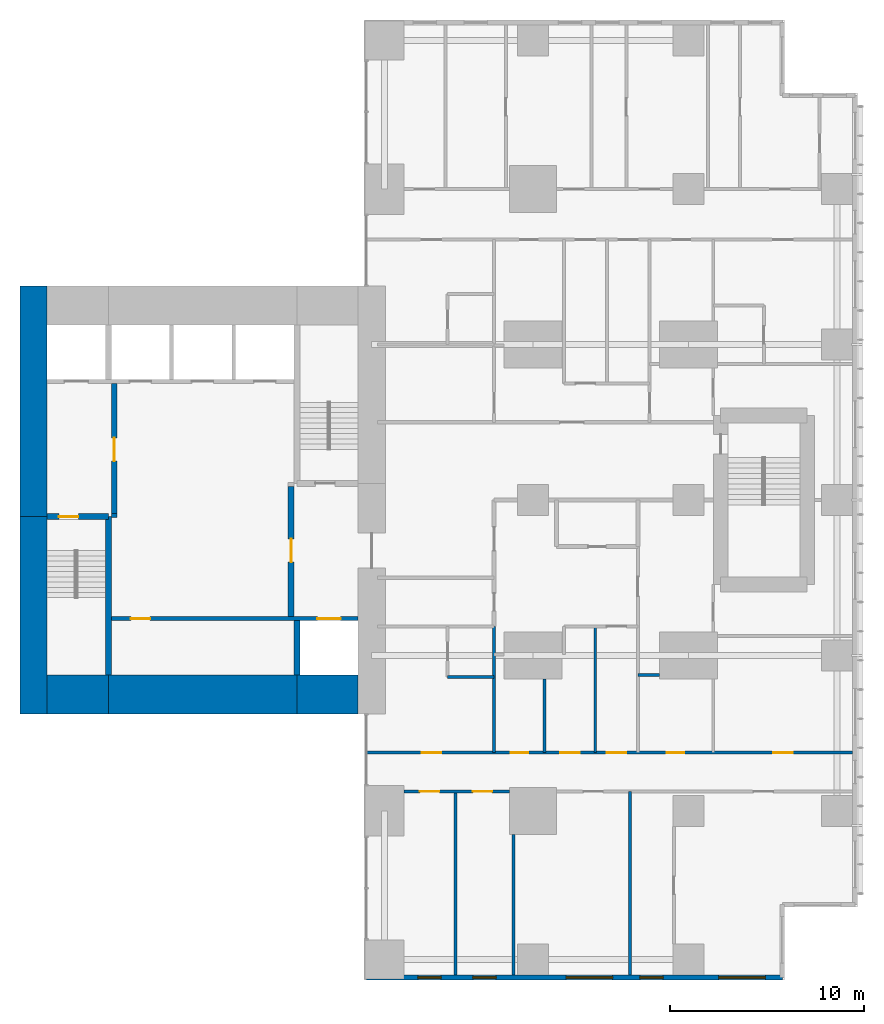
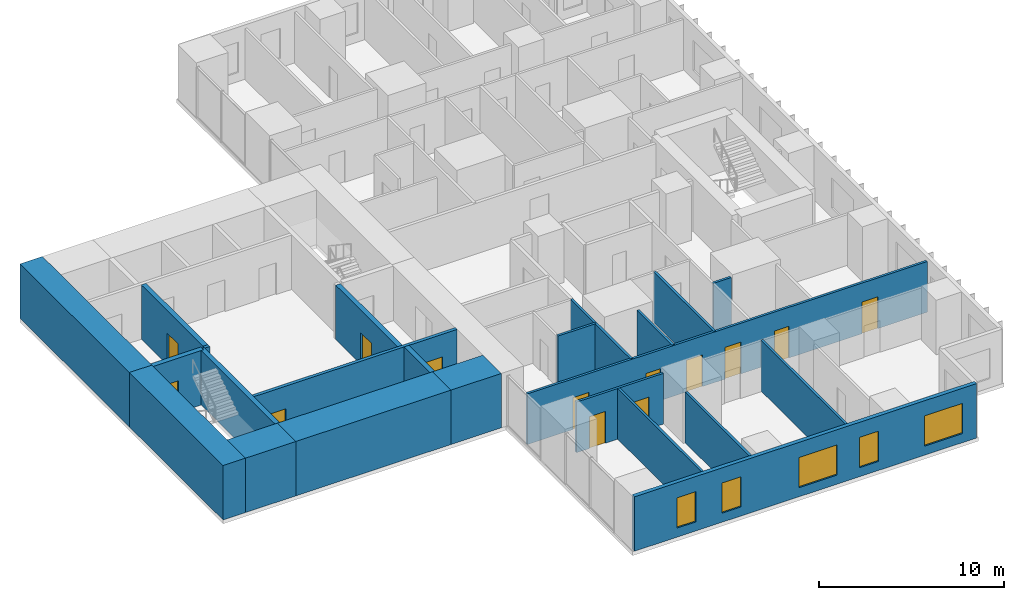
# One storey, part 7 of 12: 23 walls, 13 doors, 5 windows, 18 openings.
"""IFC4 building model written with IfcOpenShell, lengths in metres."""

import ifcopenshell
import ifcopenshell.guid

model = None  # the IFC model being written
_history = None  # IfcOwnerHistory: only IFC2X3 demands one
_inside = {}  # id of a spatial element -> (the spatial element, [elements in it])
_under = {}  # id of a project, library or spatial element -> (it, [spatial elements below it])
_declared = {}  # id of a project -> (the project, [libraries it declares])
_typed = {}  # id of a type object -> (the type object, [elements of that type])
_made_of = {}  # id of a material, layer set ... -> (it, [elements and type objects made of it])


def new_model(schema):
    """Start an empty IFC model of exactly this schema.

    Asked for "IFC4X3", IfcOpenShell would pick the latest addendum, in which some entities
    have other attributes; the version numbers below select the first issue.
    IFC2X3 requires an IfcOwnerHistory on every rooted entity: one is made here for all.
    """
    global model, _history
    if schema == "IFC4X3":
        model = ifcopenshell.file(schema_version=(4, 3, 0, 0))
    else:
        model = ifcopenshell.file(schema=schema)
    _inside.clear()
    _under.clear()
    _declared.clear()
    _typed.clear()
    _made_of.clear()
    _history = None
    if model.schema == "IFC2X3":
        org = make("IfcOrganization", Name="unknown")
        user = make(
            "IfcPersonAndOrganization",
            ThePerson=make("IfcPerson", FamilyName="unknown"),
            TheOrganization=org,
        )
        app = make(
            "IfcApplication",
            ApplicationDeveloper=org,
            Version="unknown",
            ApplicationFullName="unknown",
            ApplicationIdentifier="unknown",
        )
        _history = make(
            "IfcOwnerHistory",
            OwningUser=user,
            OwningApplication=app,
            ChangeAction="ADDED",
            CreationDate=0,
        )
    return model


def make(cls, **values):
    """One entity of the class cls with the attributes given. An attribute that is None is left unset."""
    return model.create_entity(
        cls, **{name: value for name, value in values.items() if value is not None}
    )


def rooted(cls, **values):
    """An entity with a GlobalId (a new one), such as an element, a storey or a relation."""
    return make(cls, GlobalId=ifcopenshell.guid.new(), OwnerHistory=_history, **values)


def si_unit(unit_type, name, prefix=None):
    """IfcSIUnit, for example si_unit("LENGTHUNIT", "METRE", prefix="MILLI")."""
    return make("IfcSIUnit", UnitType=unit_type, Prefix=prefix, Name=name)


def assignment(units):
    """IfcUnitAssignment: the units of a project."""
    return None if units is None else make("IfcUnitAssignment", Units=units)


def point(xyz):
    """IfcCartesianPoint."""
    return None if xyz is None else make("IfcCartesianPoint", Coordinates=xyz)


def direction(xyz):
    """IfcDirection."""
    return None if xyz is None else make("IfcDirection", DirectionRatios=xyz)


def frame(location, z_axis=None, x_axis=None):
    """IfcAxis2Placement3D, a coordinate frame: its origin and axes. An axis left out is left unset."""
    return make(
        "IfcAxis2Placement3D",
        Location=point(location),
        Axis=direction(z_axis),
        RefDirection=direction(x_axis),
    )


def frame_2d(location, x_axis=None):
    """IfcAxis2Placement2D, a coordinate frame in the plane: its origin and x axis."""
    return make(
        "IfcAxis2Placement2D", Location=point(location), RefDirection=direction(x_axis)
    )


def origin():
    """The frame at (0, 0, 0) with its axes left unset."""
    return frame((0.0, 0.0, 0.0))


def place(relative_to, where):
    """IfcLocalPlacement: puts the frame where relative to a parent placement (None: the world)."""
    return make(
        "IfcLocalPlacement", PlacementRelTo=relative_to, RelativePlacement=where
    )


def context(
    kind, dimensions, precision=None, world=None, true_north=None, identifier=None
):
    """IfcGeometricRepresentationContext, for example the 3D "Model" context."""
    return make(
        "IfcGeometricRepresentationContext",
        ContextIdentifier=identifier,
        ContextType=kind,
        CoordinateSpaceDimension=dimensions,
        Precision=precision,
        WorldCoordinateSystem=world,
        TrueNorth=true_north,
    )


def subcontext(parent, identifier, kind, view, scale=None):
    """IfcGeometricRepresentationSubContext, for example "Body" below "Model"."""
    return make(
        "IfcGeometricRepresentationSubContext",
        ContextIdentifier=identifier,
        ContextType=kind,
        ParentContext=parent,
        TargetScale=scale,
        TargetView=view,
    )


def project(units=None, contexts=None):
    """IfcProject with its units and contexts."""
    return rooted(
        "IfcProject",
        Name="project",
        RepresentationContexts=contexts,
        UnitsInContext=assignment(units),
    )


def spatial(cls, under=None, at=None, **own):
    """A site, building, storey or space (cls), placed at a placement, below another one or the project."""
    s = rooted(cls, ObjectPlacement=at, **own)
    if under is not None:
        _under.setdefault(under.id(), (under, []))[1].append(s)
    return s


def profile(cls, at=None, kind="AREA", **sizes):
    """A parametric profile (cls). Its sizes go by their IFC names, for example OverallWidth=200.0."""
    return make(cls, ProfileType=kind, Position=at, **sizes)


def rectangle(**sizes):
    """IfcRectangleProfileDef."""
    return profile("IfcRectangleProfileDef", **sizes)


def extrude(swept, where, along, depth):
    """IfcExtrudedAreaSolid: the profile swept, set in the frame where, extruded along a direction by depth."""
    return make(
        "IfcExtrudedAreaSolid",
        SweptArea=swept,
        Position=where,
        ExtrudedDirection=direction(along),
        Depth=depth,
    )


def shape(context_of_items, identifier, shape_type, items):
    """IfcShapeRepresentation: the items that make up one representation, for example the "Body"."""
    return make(
        "IfcShapeRepresentation",
        ContextOfItems=context_of_items,
        RepresentationIdentifier=identifier,
        RepresentationType=shape_type,
        Items=items,
    )


def material(Name=None, Category=None):
    """IfcMaterial."""
    return make("IfcMaterial", Name=Name, Category=Category)


def layer(
    of_material, thickness, ventilated=None, Name=None, Category=None, Priority=None
):
    """IfcMaterialLayer: one layer of a wall or slab, of a material (None: an air gap)."""
    return make(
        "IfcMaterialLayer",
        Material=of_material,
        LayerThickness=thickness,
        IsVentilated=ventilated,
        Name=Name,
        Category=Category,
        Priority=Priority,
    )


def layer_set(layers, Name=None):
    """IfcMaterialLayerSet."""
    return make("IfcMaterialLayerSet", MaterialLayers=layers, LayerSetName=Name)


def made_of(thing, what):
    """Note that an element or type object is made of a material, layer set ...; save() writes the relation."""
    if what is not None:
        _made_of.setdefault(what.id(), (what, []))[1].append(thing)
    return thing


def type_object(cls, material=None, **own):
    """A type object (cls), such as IfcWallType, which elements share."""
    return made_of(rooted(cls, **own), material)


def element(
    cls,
    number,
    at=None,
    inside=None,
    cuts=None,
    type_object=None,
    material=None,
    context=None,
    identifier="Body",
    shape_type=None,
    held_by="IfcProductDefinitionShape",
    body=None,
    shapes=None,
    **own,
):
    """One element of the class cls, such as IfcWall. Its Tag is "e" and its number.

    at: its placement. inside: the storey or other place that contains it. cuts: it is an
    opening in that element (IfcRelVoidsElement). A single representation is given by context,
    identifier, shape_type and body (its items); several are given by shapes. held_by: the class
    of the entity that holds the representations. save() writes the other relations.
    """
    e = rooted(cls, Tag="e%d" % number, ObjectPlacement=at, **own)
    if body is not None:
        shapes = [shape(context, identifier, shape_type, body)]
    if shapes is not None:
        e.Representation = make(held_by, Representations=shapes)
    if inside is not None:
        _inside.setdefault(inside.id(), (inside, []))[1].append(e)
    if cuts is not None:
        rooted(
            "IfcRelVoidsElement", RelatingBuildingElement=cuts, RelatedOpeningElement=e
        )
    if type_object is not None:
        _typed.setdefault(type_object.id(), (type_object, []))[1].append(e)
    return made_of(e, material)


def fill(opening, filler):
    """IfcRelFillsElement: the door or window that sits in an opening."""
    return rooted(
        "IfcRelFillsElement",
        RelatingOpeningElement=opening,
        RelatedBuildingElement=filler,
    )


def aggregate(whole, parts):
    """IfcRelAggregates: a whole, such as a stair, and the parts it consists of."""
    return rooted("IfcRelAggregates", RelatingObject=whole, RelatedObjects=parts)


def save(model, path):
    """Write the relations noted so far, then the file.

    IfcRelAggregates (storeys below a building ...), IfcRelContainedInSpatialStructure (elements
    in a storey), IfcRelDefinesByType, IfcRelAssociatesMaterial and IfcRelDeclares: one each for
    every whole, place, type object, material and project.
    """
    for whole, parts in _under.values():
        aggregate(whole, parts)
    for where, things in _inside.values():
        rooted(
            "IfcRelContainedInSpatialStructure",
            RelatedElements=things,
            RelatingStructure=where,
        )
    for kind, things in _typed.values():
        rooted("IfcRelDefinesByType", RelatedObjects=things, RelatingType=kind)
    for what, things in _made_of.values():
        rooted("IfcRelAssociatesMaterial", RelatedObjects=things, RelatingMaterial=what)
    for by, libraries in _declared.values():
        rooted("IfcRelDeclares", RelatingContext=by, RelatedDefinitions=libraries)
    model.write(path)


model = new_model("IFC4")

# Units and contexts
model_context = context("Model", 3, precision=1e-05, world=origin(), true_north=direction((0.0, 1.0)))
body_context = subcontext(model_context, "Body", "Model", "MODEL_VIEW")
ifc_project = project(units=[si_unit("LENGTHUNIT", "METRE"), si_unit("AREAUNIT", "SQUARE_METRE"), si_unit("VOLUMEUNIT", "CUBIC_METRE"), si_unit("PLANEANGLEUNIT", "RADIAN"), si_unit("MASSUNIT", "GRAM", prefix="KILO")], contexts=[model_context])

# Site, building, storey
site_placement = place(None, origin())
site = spatial("IfcSite", under=ifc_project, at=site_placement, CompositionType="ELEMENT")
building_placement = place(site_placement, origin())
building = spatial("IfcBuilding", under=site, at=building_placement, Name="Cleftline Residences", CompositionType="ELEMENT")
storey_placement = place(building_placement, frame((0.0, 0.0, 234.0)))
storey = spatial("IfcBuildingStorey", under=building, at=storey_placement, Name="L61", CompositionType="ELEMENT", Elevation=234.0)

# Walls
ifc_material_1 = material(Name="Concrete B70", Category="concrete")
ifc_layer_1 = layer(ifc_material_1, 1.39990234375)
ifc_layer_set_1 = layer_set([ifc_layer_1], Name="CORE WALL 1400")
wall_type_1 = type_object("IfcWallType", Name="CORE WALL 1400", PredefinedType="SHEAR", material=ifc_layer_set_1)
wall_1_placement = place(storey_placement, frame((24.300048828125, 13.0, 0.0), z_axis=(0.0, 0.0, 1.0), x_axis=(0.0, 1.0, 0.0)))
element("IfcWall", 1, at=wall_1_placement, inside=storey, type_object=wall_type_1, Name="Core wall W0", PredefinedType="SHEAR", context=body_context, shape_type="SweptSolid", body=[
    extrude(rectangle(XDim=10.14990234375, YDim=1.39990234375, at=frame_2d((5.074951171875, 0.0))), origin(), (0.0, 0.0, 1.0), 3.60009765625),
])
wall_2_placement = place(storey_placement, frame((24.300048828125, 23.14990234375, 0.0), z_axis=(0.0, 0.0, 1.0), x_axis=(0.0, 1.0, 0.0)))
element("IfcWall", 2, at=wall_2_placement, inside=storey, type_object=wall_type_1, Name="Core wall W", PredefinedType="SHEAR", context=body_context, shape_type="SweptSolid", body=[
    extrude(rectangle(XDim=11.85009765625, YDim=1.39990234375, at=frame_2d((5.925048828125, 0.0))), origin(), (0.0, 0.0, 1.0), 3.60009765625),
])
ifc_material_2 = material(Name="Concrete B70", Category="concrete")
ifc_layer_2 = layer(ifc_material_2, 2.0)
ifc_layer_set_2 = layer_set([ifc_layer_2], Name="CORE WALL 2000")
wall_type_2 = type_object("IfcWallType", Name="CORE WALL 2000", PredefinedType="SHEAR", material=ifc_layer_set_2)
wall_3_placement = place(storey_placement, frame((25.0, 14.0, 0.0), z_axis=(0.0, 0.0, 1.0), x_axis=(1.0, 0.0, 0.0)))
element("IfcWall", 3, at=wall_3_placement, inside=storey, type_object=wall_type_2, Name="Core wall S1", PredefinedType="SHEAR", context=body_context, shape_type="SweptSolid", body=[
    extrude(rectangle(XDim=3.14990234375, YDim=2.0, at=frame_2d((1.574951171875, 0.0))), origin(), (0.0, 0.0, 1.0), 3.60009765625),
])
wall_4_placement = place(storey_placement, frame((28.14990234375, 14.0, 0.0), z_axis=(0.0, 0.0, 1.0), x_axis=(1.0, 0.0, 0.0)))
element("IfcWall", 4, at=wall_4_placement, inside=storey, type_object=wall_type_2, Name="Core wall S2", PredefinedType="SHEAR", context=body_context, shape_type="SweptSolid", body=[
    extrude(rectangle(XDim=9.7001953125, YDim=2.0, at=frame_2d((4.85009765625, 0.0))), origin(), (0.0, 0.0, 1.0), 3.60009765625),
])
wall_5_placement = place(storey_placement, frame((37.85009765625, 14.0, 0.0), z_axis=(0.0, 0.0, 1.0), x_axis=(1.0, 0.0, 0.0)))
element("IfcWall", 5, at=wall_5_placement, inside=storey, type_object=wall_type_2, Name="Core wall S3", PredefinedType="SHEAR", context=body_context, shape_type="SweptSolid", body=[
    extrude(rectangle(XDim=3.14990234375, YDim=2.0, at=frame_2d((1.574951171875, 0.0))), origin(), (0.0, 0.0, 1.0), 3.60009765625),
])
ifc_material_3 = material(Name="Concrete B70", Category="concrete")
ifc_layer_3 = layer(ifc_material_3, 0.300048828125)
ifc_layer_set_3 = layer_set([ifc_layer_3], Name="CORE WALL 300")
wall_type_3 = type_object("IfcWallType", Name="CORE WALL 300", PredefinedType="SHEAR", material=ifc_layer_set_3)
wall_6_placement = place(storey_placement, frame((28.14990234375, 15.0, 0.0), z_axis=(0.0, 0.0, 1.0), x_axis=(0.0, 1.0, 0.0)))
element("IfcWall", 6, at=wall_6_placement, inside=storey, type_object=wall_type_3, Name="Core wall SA-E", PredefinedType="SHEAR", context=body_context, shape_type="SweptSolid", body=[
    extrude(rectangle(XDim=8.14990234375, YDim=0.300048828125, at=frame_2d((4.074951171875, 0.0))), origin(), (0.0, 0.0, 1.0), 3.60009765625),
])

# Wall, opening, door
wall_7_placement = place(storey_placement, frame((25.0, 23.14990234375, 0.0), z_axis=(0.0, 0.0, 1.0), x_axis=(1.0, 0.0, 0.0)))
wall_7 = element("IfcWall", 7, at=wall_7_placement, inside=storey, type_object=wall_type_3, Name="Core wall SA-N", PredefinedType="SHEAR", context=body_context, shape_type="SweptSolid", body=[
    extrude(rectangle(XDim=3.14990234375, YDim=0.300048828125, at=frame_2d((1.574951171875, 0.0))), origin(), (0.0, 0.0, 1.0), 3.60009765625),
])
opening_1_placement = place(wall_7_placement, frame((0.60009765625, 0.0, 0.0)))
opening_1 = element("IfcOpeningElement", 8, at=opening_1_placement, cuts=wall_7, Name="Opening D5", PredefinedType="OPENING", context=body_context, shape_type="SweptSolid", body=[
    extrude(rectangle(XDim=1.0, YDim=2.10009765625, at=frame_2d((0.5, 1.050048828125))), frame((0.0, 0.159912109375, 0.0), z_axis=(0.0, -1.0, 0.0), x_axis=(1.0, 0.0, 0.0)), (0.0, 0.0, 1.0), 0.320068359375),
])
ifc_material_4 = material(Name="Steel", Category="steel")
door_type_1 = type_object("IfcDoorType", Name="STAIR DOOR 1000X2100", OperationType="SINGLE_SWING_LEFT", PredefinedType="DOOR", material=ifc_material_4)
door_1_placement = place(opening_1_placement, origin())
door_1 = element("IfcDoor", 9, at=door_1_placement, inside=storey, type_object=door_type_1, Name="Stair A door", OperationType="SINGLE_SWING_RIGHT", OverallHeight=2.10009765625, OverallWidth=1.0, PredefinedType="DOOR", context=body_context, shape_type="SweptSolid", body=[
    extrude(rectangle(XDim=1.0, YDim=2.10009765625, at=frame_2d((0.5, 1.050048828125))), frame((0.0, 0.02490234375, 0.0), z_axis=(0.0, -1.0, 0.0), x_axis=(1.0, 0.0, 0.0)), (0.0, 0.0, 1.0), 0.050048828125),
])
fill(opening_1, door_1)

# Wall
wall_8_placement = place(storey_placement, frame((37.85009765625, 15.0, 0.0), z_axis=(0.0, 0.0, 1.0), x_axis=(0.0, 1.0, 0.0)))
element("IfcWall", 10, at=wall_8_placement, inside=storey, type_object=wall_type_3, Name="Lift shaft wall", PredefinedType="SHEAR", context=body_context, shape_type="SweptSolid", body=[
    extrude(rectangle(XDim=2.800048828125, YDim=0.300048828125, at=frame_2d((1.39990234375, 0.0))), origin(), (0.0, 0.0, 1.0), 3.60009765625),
])

# Wall, openings, windows
ifc_material_5 = material(Name="Rendered reinforced concrete blockwork", Category="masonry")
ifc_layer_4 = layer(ifc_material_5, 0.25)
ifc_layer_set_4 = layer_set([ifc_layer_4], Name="EXTERNAL WALL 250")
wall_type_4 = type_object("IfcWallType", Name="EXTERNAL WALL 250", PredefinedType="SOLIDWALL", material=ifc_layer_set_4)
wall_9_placement = place(storey_placement, frame((41.425048828125, -0.574951171875, 0.0), z_axis=(0.0, 0.0, 1.0), x_axis=(1.0, 0.0, 0.0)))
wall_9 = element("IfcWall", 11, at=wall_9_placement, inside=storey, type_object=wall_type_4, Name="External wall", PredefinedType="SOLIDWALL", context=body_context, shape_type="SweptSolid", body=[
    extrude(rectangle(XDim=21.39990234375, YDim=0.25, at=frame_2d((10.699951171875, 0.0))), origin(), (0.0, 0.0, 1.0), 3.60009765625),
])
opening_2_placement = place(wall_9_placement, frame((2.64990234375, 0.0, 0.60009765625)))
opening_2 = element("IfcOpeningElement", 12, at=opening_2_placement, cuts=wall_9, Name="Opening W8", PredefinedType="OPENING", context=body_context, shape_type="SweptSolid", body=[
    extrude(rectangle(XDim=1.199951171875, YDim=2.0, at=frame_2d((0.60009765625, 1.0))), frame((0.0, 0.135009765625, 0.0), z_axis=(0.0, -1.0, 0.0), x_axis=(1.0, 0.0, 0.0)), (0.0, 0.0, 1.0), 0.27001953125),
])
opening_3_placement = place(wall_9_placement, frame((5.47509765625, 0.0, 0.60009765625)))
opening_3 = element("IfcOpeningElement", 13, at=opening_3_placement, cuts=wall_9, Name="Opening W8", PredefinedType="OPENING", context=body_context, shape_type="SweptSolid", body=[
    extrude(rectangle(XDim=1.199951171875, YDim=2.0, at=frame_2d((0.60009765625, 1.0))), frame((0.0, 0.135009765625, 0.0), z_axis=(0.0, -1.0, 0.0), x_axis=(1.0, 0.0, 0.0)), (0.0, 0.0, 1.0), 0.27001953125),
])
opening_4_placement = place(wall_9_placement, frame((10.27490234375, 0.0, 0.60009765625)))
opening_4 = element("IfcOpeningElement", 14, at=opening_4_placement, cuts=wall_9, Name="Opening W6", PredefinedType="OPENING", context=body_context, shape_type="SweptSolid", body=[
    extrude(rectangle(XDim=2.39990234375, YDim=2.0, at=frame_2d((1.199951171875, 1.0))), frame((0.0, 0.135009765625, 0.0), z_axis=(0.0, -1.0, 0.0), x_axis=(1.0, 0.0, 0.0)), (0.0, 0.0, 1.0), 0.27001953125),
])
opening_5_placement = place(wall_9_placement, frame((14.074951171875, 0.0, 0.60009765625)))
opening_5 = element("IfcOpeningElement", 15, at=opening_5_placement, cuts=wall_9, Name="Opening W8", PredefinedType="OPENING", context=body_context, shape_type="SweptSolid", body=[
    extrude(rectangle(XDim=1.199951171875, YDim=2.0, at=frame_2d((0.60009765625, 1.0))), frame((0.0, 0.135009765625, 0.0), z_axis=(0.0, -1.0, 0.0), x_axis=(1.0, 0.0, 0.0)), (0.0, 0.0, 1.0), 0.27001953125),
])
opening_6_placement = place(wall_9_placement, frame((18.125, 0.0, 0.60009765625)))
opening_6 = element("IfcOpeningElement", 16, at=opening_6_placement, cuts=wall_9, Name="Opening W6", PredefinedType="OPENING", context=body_context, shape_type="SweptSolid", body=[
    extrude(rectangle(XDim=2.39990234375, YDim=2.0, at=frame_2d((1.199951171875, 1.0))), frame((0.0, 0.135009765625, 0.0), z_axis=(0.0, -1.0, 0.0), x_axis=(1.0, 0.0, 0.0)), (0.0, 0.0, 1.0), 0.27001953125),
])
ifc_material_6 = material(Name="Aluminium frame, clear double glazing", Category="aluminium")
window_type_1 = type_object("IfcWindowType", Name="WINDOW 1200X2000", PartitioningType="DOUBLE_PANEL_VERTICAL", PredefinedType="WINDOW", material=ifc_material_6)
window_1_placement = place(opening_2_placement, origin())
window_1 = element("IfcWindow", 17, at=window_1_placement, inside=storey, type_object=window_type_1, Name="Window", OverallHeight=2.0, OverallWidth=1.199951171875, PartitioningType="SINGLE_PANEL", PredefinedType="WINDOW", context=body_context, shape_type="SweptSolid", body=[
    extrude(rectangle(XDim=1.199951171875, YDim=2.0, at=frame_2d((0.60009765625, 1.0))), frame((0.0, 0.030029296875, 0.0), z_axis=(0.0, -1.0, 0.0), x_axis=(1.0, 0.0, 0.0)), (0.0, 0.0, 1.0), 0.06005859375),
])
fill(opening_2, window_1)
window_2_placement = place(opening_3_placement, origin())
window_2 = element("IfcWindow", 18, at=window_2_placement, inside=storey, type_object=window_type_1, Name="Window", OverallHeight=2.0, OverallWidth=1.199951171875, PartitioningType="SINGLE_PANEL", PredefinedType="WINDOW", context=body_context, shape_type="SweptSolid", body=[
    extrude(rectangle(XDim=1.199951171875, YDim=2.0, at=frame_2d((0.60009765625, 1.0))), frame((0.0, 0.030029296875, 0.0), z_axis=(0.0, -1.0, 0.0), x_axis=(1.0, 0.0, 0.0)), (0.0, 0.0, 1.0), 0.06005859375),
])
fill(opening_3, window_2)
window_3_placement = place(opening_5_placement, origin())
window_3 = element("IfcWindow", 19, at=window_3_placement, inside=storey, type_object=window_type_1, Name="Window", OverallHeight=2.0, OverallWidth=1.199951171875, PartitioningType="SINGLE_PANEL", PredefinedType="WINDOW", context=body_context, shape_type="SweptSolid", body=[
    extrude(rectangle(XDim=1.199951171875, YDim=2.0, at=frame_2d((0.60009765625, 1.0))), frame((0.0, 0.030029296875, 0.0), z_axis=(0.0, -1.0, 0.0), x_axis=(1.0, 0.0, 0.0)), (0.0, 0.0, 1.0), 0.06005859375),
])
fill(opening_5, window_3)
ifc_material_7 = material(Name="Aluminium frame, clear double glazing", Category="aluminium")
window_type_2 = type_object("IfcWindowType", Name="WINDOW 2400X2000", PartitioningType="DOUBLE_PANEL_VERTICAL", PredefinedType="WINDOW", material=ifc_material_7)
window_4_placement = place(opening_4_placement, origin())
window_4 = element("IfcWindow", 20, at=window_4_placement, inside=storey, type_object=window_type_2, Name="Window", OverallHeight=2.0, OverallWidth=2.39990234375, PartitioningType="SINGLE_PANEL", PredefinedType="WINDOW", context=body_context, shape_type="SweptSolid", body=[
    extrude(rectangle(XDim=2.39990234375, YDim=2.0, at=frame_2d((1.199951171875, 1.0))), frame((0.0, 0.030029296875, 0.0), z_axis=(0.0, -1.0, 0.0), x_axis=(1.0, 0.0, 0.0)), (0.0, 0.0, 1.0), 0.06005859375),
])
fill(opening_4, window_4)
window_5_placement = place(opening_6_placement, origin())
window_5 = element("IfcWindow", 21, at=window_5_placement, inside=storey, type_object=window_type_2, Name="Window", OverallHeight=2.0, OverallWidth=2.39990234375, PartitioningType="SINGLE_PANEL", PredefinedType="WINDOW", context=body_context, shape_type="SweptSolid", body=[
    extrude(rectangle(XDim=2.39990234375, YDim=2.0, at=frame_2d((1.199951171875, 1.0))), frame((0.0, 0.030029296875, 0.0), z_axis=(0.0, -1.0, 0.0), x_axis=(1.0, 0.0, 0.0)), (0.0, 0.0, 1.0), 0.06005859375),
])
fill(opening_6, window_5)

# Wall
ifc_material_8 = material(Name="Concrete blockwork, fire rated", Category="masonry")
ifc_layer_5 = layer(ifc_material_8, 0.199951171875)
ifc_layer_set_5 = layer_set([ifc_layer_5], Name="FIRE WALL 200")
wall_type_5 = type_object("IfcWallType", Name="FIRE WALL 200", PredefinedType="PARTITIONING", material=ifc_layer_set_5)
wall_10_placement = place(storey_placement, frame((28.300048828125, 23.199951171875, 0.0), z_axis=(0.0, 0.0, 1.0), x_axis=(1.0, 0.0, 0.0)))
element("IfcWall", 22, at=wall_10_placement, inside=storey, type_object=wall_type_5, Name="Fire separating wall", PredefinedType="PARTITIONING", context=body_context, shape_type="SweptSolid", body=[
    extrude(rectangle(XDim=0.300048828125, YDim=0.199951171875, at=frame_2d((0.14990234375, 0.0))), origin(), (0.0, 0.0, 1.0), 3.60009765625),
])

# Wall, openings, doors
ifc_material_9 = material(Name="Gypsum board on steel studs", Category="steel")
ifc_layer_6 = layer(ifc_material_9, 0.14990234375)
ifc_layer_set_6 = layer_set([ifc_layer_6], Name="PARTITION 150")
wall_type_6 = type_object("IfcWallType", Name="PARTITION 150", PredefinedType="PARTITIONING", material=ifc_layer_set_6)
wall_11_placement = place(storey_placement, frame((43.35009765625, 9.0, 0.0), z_axis=(0.0, 0.0, 1.0), x_axis=(1.0, 0.0, 0.0)))
wall_11 = element("IfcWall", 23, at=wall_11_placement, inside=storey, type_object=wall_type_6, Name="Partition", PredefinedType="PARTITIONING", context=body_context, shape_type="SweptSolid", body=[
    extrude(rectangle(XDim=5.449951171875, YDim=0.14990234375, at=frame_2d((2.72509765625, 0.0))), origin(), (0.0, 0.0, 1.0), 3.35009765625),
])
opening_7_placement = place(wall_11_placement, frame((3.550048828125, 0.0, 0.0)))
opening_7 = element("IfcOpeningElement", 24, at=opening_7_placement, cuts=wall_11, Name="Opening D2", PredefinedType="OPENING", context=body_context, shape_type="SweptSolid", body=[
    extrude(rectangle(XDim=1.0, YDim=2.10009765625, at=frame_2d((0.5, 1.050048828125))), frame((0.0, 0.0849609375, 0.0), z_axis=(0.0, -1.0, 0.0), x_axis=(1.0, 0.0, 0.0)), (0.0, 0.0, 1.0), 0.169921875),
])
opening_8_placement = place(wall_11_placement, frame((0.824951171875, 0.0, 0.0)))
opening_8 = element("IfcOpeningElement", 25, at=opening_8_placement, cuts=wall_11, Name="Opening D2", PredefinedType="OPENING", context=body_context, shape_type="SweptSolid", body=[
    extrude(rectangle(XDim=1.0, YDim=2.10009765625, at=frame_2d((0.5, 1.050048828125))), frame((0.0, 0.0849609375, 0.0), z_axis=(0.0, -1.0, 0.0), x_axis=(1.0, 0.0, 0.0)), (0.0, 0.0, 1.0), 0.169921875),
])
ifc_material_10 = material(Name="Timber veneer on solid core", Category="wood")
door_type_2 = type_object("IfcDoorType", Name="DOOR 1000X2100", OperationType="SINGLE_SWING_LEFT", PredefinedType="DOOR", material=ifc_material_10)
door_2_placement = place(opening_7_placement, origin())
door_2 = element("IfcDoor", 26, at=door_2_placement, inside=storey, type_object=door_type_2, Name="Door to breakfast room", OperationType="SINGLE_SWING_LEFT", OverallHeight=2.10009765625, OverallWidth=1.0, PredefinedType="DOOR", context=body_context, shape_type="SweptSolid", body=[
    extrude(rectangle(XDim=1.0, YDim=2.10009765625, at=frame_2d((0.5, 1.050048828125))), frame((0.0, 0.02490234375, 0.0), z_axis=(0.0, -1.0, 0.0), x_axis=(1.0, 0.0, 0.0)), (0.0, 0.0, 1.0), 0.050048828125),
])
fill(opening_7, door_2)
door_3_placement = place(opening_8_placement, origin())
door_3 = element("IfcDoor", 27, at=door_3_placement, inside=storey, type_object=door_type_2, Name="Door to show kitchen", OperationType="SINGLE_SWING_RIGHT", OverallHeight=2.10009765625, OverallWidth=1.0, PredefinedType="DOOR", context=body_context, shape_type="SweptSolid", body=[
    extrude(rectangle(XDim=1.0, YDim=2.10009765625, at=frame_2d((0.5, 1.050048828125))), frame((0.0, 0.02490234375, 0.0), z_axis=(0.0, -1.0, 0.0), x_axis=(1.0, 0.0, 0.0)), (0.0, 0.0, 1.0), 0.050048828125),
])
fill(opening_8, door_3)

wall_12_placement = place(storey_placement, frame((41.43896484375, 11.0, 0.0), z_axis=(0.0, 0.0, 1.0), x_axis=(1.0, 0.0, 0.0)))
wall_12 = element("IfcWall", 28, at=wall_12_placement, inside=storey, type_object=wall_type_6, Name="Partition", PredefinedType="PARTITIONING", context=body_context, shape_type="SweptSolid", body=[
    extrude(rectangle(XDim=25.010986328125, YDim=0.14990234375, at=frame_2d((12.50537109375, 0.0))), origin(), (0.0, 0.0, 1.0), 3.35009765625),
])
opening_9_placement = place(wall_12_placement, frame((12.361083984375, 0.0, 0.0)))
opening_9 = element("IfcOpeningElement", 29, at=opening_9_placement, cuts=wall_12, Name="Opening D2F30", PredefinedType="OPENING", context=body_context, shape_type="SweptSolid", body=[
    extrude(rectangle(XDim=1.0, YDim=2.10009765625, at=frame_2d((0.5, 1.050048828125))), frame((0.0, 0.0849609375, 0.0), z_axis=(0.0, -1.0, 0.0), x_axis=(1.0, 0.0, 0.0)), (0.0, 0.0, 1.0), 0.169921875),
])
opening_10_placement = place(wall_12_placement, frame((20.923583984375, 0.0, 0.0)))
opening_10 = element("IfcOpeningElement", 30, at=opening_10_placement, cuts=wall_12, Name="Opening D2F30", PredefinedType="OPENING", context=body_context, shape_type="SweptSolid", body=[
    extrude(rectangle(XDim=1.0, YDim=2.10009765625, at=frame_2d((0.5, 1.050048828125))), frame((0.0, 0.0849609375, 0.0), z_axis=(0.0, -1.0, 0.0), x_axis=(1.0, 0.0, 0.0)), (0.0, 0.0, 1.0), 0.169921875),
])
opening_11_placement = place(wall_12_placement, frame((15.448486328125, 0.0, 0.0)))
opening_11 = element("IfcOpeningElement", 31, at=opening_11_placement, cuts=wall_12, Name="Opening D1F30", PredefinedType="OPENING", context=body_context, shape_type="SweptSolid", body=[
    extrude(rectangle(XDim=0.89990234375, YDim=2.10009765625, at=frame_2d((0.449951171875, 1.050048828125))), frame((0.0, 0.0849609375, 0.0), z_axis=(0.0, -1.0, 0.0), x_axis=(1.0, 0.0, 0.0)), (0.0, 0.0, 1.0), 0.169921875),
])
opening_12_placement = place(wall_12_placement, frame((9.9609375, 0.0, 0.0)))
opening_12 = element("IfcOpeningElement", 32, at=opening_12_placement, cuts=wall_12, Name="Opening D2F30", PredefinedType="OPENING", context=body_context, shape_type="SweptSolid", body=[
    extrude(rectangle(XDim=1.0, YDim=2.10009765625, at=frame_2d((0.5, 1.050048828125))), frame((0.0, 0.0849609375, 0.0), z_axis=(0.0, -1.0, 0.0), x_axis=(1.0, 0.0, 0.0)), (0.0, 0.0, 1.0), 0.169921875),
])
opening_13_placement = place(wall_12_placement, frame((7.410888671875, 0.0, 0.0)))
opening_13 = element("IfcOpeningElement", 33, at=opening_13_placement, cuts=wall_12, Name="Opening D1F30", PredefinedType="OPENING", context=body_context, shape_type="SweptSolid", body=[
    extrude(rectangle(XDim=0.89990234375, YDim=2.10009765625, at=frame_2d((0.449951171875, 1.050048828125))), frame((0.0, 0.0849609375, 0.0), z_axis=(0.0, -1.0, 0.0), x_axis=(1.0, 0.0, 0.0)), (0.0, 0.0, 1.0), 0.169921875),
])
opening_14_placement = place(wall_12_placement, frame((2.8359375, 0.0, 0.0)))
opening_14 = element("IfcOpeningElement", 34, at=opening_14_placement, cuts=wall_12, Name="Opening D2F30", PredefinedType="OPENING", context=body_context, shape_type="SweptSolid", body=[
    extrude(rectangle(XDim=1.0, YDim=2.10009765625, at=frame_2d((0.5, 1.050048828125))), frame((0.0, 0.0849609375, 0.0), z_axis=(0.0, -1.0, 0.0), x_axis=(1.0, 0.0, 0.0)), (0.0, 0.0, 1.0), 0.169921875),
])
ifc_material_11 = material(Name="Timber veneer on solid core", Category="wood")
door_type_3 = type_object("IfcDoorType", Name="DOOR 1000X2100 EI 30", OperationType="SINGLE_SWING_LEFT", PredefinedType="DOOR", material=ifc_material_11)
door_4_placement = place(opening_9_placement, origin())
door_4 = element("IfcDoor", 35, at=door_4_placement, inside=storey, type_object=door_type_3, Name="Door to residence hall (gallery)", OperationType="SINGLE_SWING_LEFT", OverallHeight=2.10009765625, OverallWidth=1.0, PredefinedType="DOOR", context=body_context, shape_type="SweptSolid", body=[
    extrude(rectangle(XDim=1.0, YDim=2.10009765625, at=frame_2d((0.5, 1.050048828125))), frame((0.0, 0.02490234375, 0.0), z_axis=(0.0, -1.0, 0.0), x_axis=(1.0, 0.0, 0.0)), (0.0, 0.0, 1.0), 0.050048828125),
])
fill(opening_9, door_4)
door_5_placement = place(opening_10_placement, origin())
door_5 = element("IfcDoor", 36, at=door_5_placement, inside=storey, type_object=door_type_3, Name="Door to altar room", OperationType="SINGLE_SWING_LEFT", OverallHeight=2.10009765625, OverallWidth=1.0, PredefinedType="DOOR", context=body_context, shape_type="SweptSolid", body=[
    extrude(rectangle(XDim=1.0, YDim=2.10009765625, at=frame_2d((0.5, 1.050048828125))), frame((0.0, 0.02490234375, 0.0), z_axis=(0.0, -1.0, 0.0), x_axis=(1.0, 0.0, 0.0)), (0.0, 0.0, 1.0), 0.050048828125),
])
fill(opening_10, door_5)
door_6_placement = place(opening_12_placement, origin())
door_6 = element("IfcDoor", 37, at=door_6_placement, inside=storey, type_object=door_type_3, Name="Door to wet kitchen", OperationType="SINGLE_SWING_RIGHT", OverallHeight=2.10009765625, OverallWidth=1.0, PredefinedType="DOOR", context=body_context, shape_type="SweptSolid", body=[
    extrude(rectangle(XDim=1.0, YDim=2.10009765625, at=frame_2d((0.5, 1.050048828125))), frame((0.0, 0.02490234375, 0.0), z_axis=(0.0, -1.0, 0.0), x_axis=(1.0, 0.0, 0.0)), (0.0, 0.0, 1.0), 0.050048828125),
])
fill(opening_12, door_6)
door_7_placement = place(opening_14_placement, origin())
door_7 = element("IfcDoor", 38, at=door_7_placement, inside=storey, type_object=door_type_3, Name="Door to staff bedroom", OperationType="SINGLE_SWING_RIGHT", OverallHeight=2.10009765625, OverallWidth=1.0, PredefinedType="DOOR", context=body_context, shape_type="SweptSolid", body=[
    extrude(rectangle(XDim=1.0, YDim=2.10009765625, at=frame_2d((0.5, 1.050048828125))), frame((0.0, 0.02490234375, 0.0), z_axis=(0.0, -1.0, 0.0), x_axis=(1.0, 0.0, 0.0)), (0.0, 0.0, 1.0), 0.050048828125),
])
fill(opening_14, door_7)
ifc_material_12 = material(Name="Timber veneer on solid core", Category="wood")
door_type_4 = type_object("IfcDoorType", Name="DOOR 900X2100 EI 30", OperationType="SINGLE_SWING_LEFT", PredefinedType="DOOR", material=ifc_material_12)
door_8_placement = place(opening_11_placement, origin())
door_8 = element("IfcDoor", 39, at=door_8_placement, inside=storey, type_object=door_type_4, Name="Door to store room", OperationType="SINGLE_SWING_LEFT", OverallHeight=2.10009765625, OverallWidth=0.89990234375, PredefinedType="DOOR", context=body_context, shape_type="SweptSolid", body=[
    extrude(rectangle(XDim=0.89990234375, YDim=2.10009765625, at=frame_2d((0.449951171875, 1.050048828125))), frame((0.0, 0.02490234375, 0.0), z_axis=(0.0, -1.0, 0.0), x_axis=(1.0, 0.0, 0.0)), (0.0, 0.0, 1.0), 0.050048828125),
])
fill(opening_11, door_8)
door_9_placement = place(opening_13_placement, origin())
door_9 = element("IfcDoor", 40, at=door_9_placement, inside=storey, type_object=door_type_4, Name="Door to pantry", OperationType="SINGLE_SWING_RIGHT", OverallHeight=2.10009765625, OverallWidth=0.89990234375, PredefinedType="DOOR", context=body_context, shape_type="SweptSolid", body=[
    extrude(rectangle(XDim=0.89990234375, YDim=2.10009765625, at=frame_2d((0.449951171875, 1.050048828125))), frame((0.0, 0.02490234375, 0.0), z_axis=(0.0, -1.0, 0.0), x_axis=(1.0, 0.0, 0.0)), (0.0, 0.0, 1.0), 0.050048828125),
])
fill(opening_13, door_9)

# Walls
wall_13_placement = place(storey_placement, frame((45.60009765625, 14.89990234375, 0.0), z_axis=(0.0, 0.0, 1.0), x_axis=(1.0, 0.0, 0.0)))
element("IfcWall", 41, at=wall_13_placement, inside=storey, type_object=wall_type_6, Name="Partition", PredefinedType="PARTITIONING", context=body_context, shape_type="SweptSolid", body=[
    extrude(rectangle(XDim=2.39990234375, YDim=0.14990234375, at=frame_2d((1.199951171875, 0.0))), origin(), (0.0, 0.0, 1.0), 3.35009765625),
])
wall_14_placement = place(storey_placement, frame((55.39990234375, 15.0, 0.0), z_axis=(0.0, 0.0, 1.0), x_axis=(1.0, 0.0, 0.0)))
element("IfcWall", 42, at=wall_14_placement, inside=storey, type_object=wall_type_6, Name="Partition", PredefinedType="PARTITIONING", context=body_context, shape_type="SweptSolid", body=[
    extrude(rectangle(XDim=1.10009765625, YDim=0.14990234375, at=frame_2d((0.550048828125, 0.0))), origin(), (0.0, 0.0, 1.0), 3.35009765625),
])
wall_15_placement = place(storey_placement, frame((46.0, -0.449951171875, 0.0), z_axis=(0.0, 0.0, 1.0), x_axis=(0.0, 1.0, 0.0)))
element("IfcWall", 43, at=wall_15_placement, inside=storey, type_object=wall_type_6, Name="Partition", PredefinedType="PARTITIONING", context=body_context, shape_type="SweptSolid", body=[
    extrude(rectangle(XDim=9.449951171875, YDim=0.14990234375, at=frame_2d((4.72509765625, 0.0))), origin(), (0.0, 0.0, 1.0), 3.35009765625),
])
wall_16_placement = place(storey_placement, frame((48.0, 11.0, 0.0), z_axis=(0.0, 0.0, 1.0), x_axis=(0.0, 1.0, 0.0)))
element("IfcWall", 44, at=wall_16_placement, inside=storey, type_object=wall_type_6, Name="Partition", PredefinedType="PARTITIONING", context=body_context, shape_type="SweptSolid", body=[
    extrude(rectangle(XDim=6.5, YDim=0.14990234375, at=frame_2d((3.25, 0.0))), origin(), (0.0, 0.0, 1.0), 3.35009765625),
])
wall_17_placement = place(storey_placement, frame((49.0, -0.449951171875, 0.0), z_axis=(0.0, 0.0, 1.0), x_axis=(0.0, 1.0, 0.0)))
element("IfcWall", 45, at=wall_17_placement, inside=storey, type_object=wall_type_6, Name="Partition", PredefinedType="PARTITIONING", context=body_context, shape_type="SweptSolid", body=[
    extrude(rectangle(XDim=7.25, YDim=0.14990234375, at=frame_2d((3.625, 0.0))), origin(), (0.0, 0.0, 1.0), 3.35009765625),
])
wall_18_placement = place(storey_placement, frame((50.60009765625, 11.0, 0.0), z_axis=(0.0, 0.0, 1.0), x_axis=(0.0, 1.0, 0.0)))
element("IfcWall", 46, at=wall_18_placement, inside=storey, type_object=wall_type_6, Name="Partition", PredefinedType="PARTITIONING", context=body_context, shape_type="SweptSolid", body=[
    extrude(rectangle(XDim=3.800048828125, YDim=0.14990234375, at=frame_2d((1.89990234375, 0.0))), origin(), (0.0, 0.0, 1.0), 3.35009765625),
])
wall_19_placement = place(storey_placement, frame((53.199951171875, 11.0, 0.0), z_axis=(0.0, 0.0, 1.0), x_axis=(0.0, 1.0, 0.0)))
element("IfcWall", 47, at=wall_19_placement, inside=storey, type_object=wall_type_6, Name="Partition", PredefinedType="PARTITIONING", context=body_context, shape_type="SweptSolid", body=[
    extrude(rectangle(XDim=6.5, YDim=0.14990234375, at=frame_2d((3.25, 0.0))), origin(), (0.0, 0.0, 1.0), 3.35009765625),
])
wall_20_placement = place(storey_placement, frame((55.0, -0.449951171875, 0.0), z_axis=(0.0, 0.0, 1.0), x_axis=(0.0, 1.0, 0.0)))
element("IfcWall", 48, at=wall_20_placement, inside=storey, type_object=wall_type_6, Name="Partition", PredefinedType="PARTITIONING", context=body_context, shape_type="SweptSolid", body=[
    extrude(rectangle(XDim=9.449951171875, YDim=0.14990234375, at=frame_2d((4.72509765625, 0.0))), origin(), (0.0, 0.0, 1.0), 3.35009765625),
])

# Wall, openings, doors
ifc_material_13 = material(Name="Concrete blockwork, fire rated", Category="masonry")
ifc_layer_7 = layer(ifc_material_13, 0.199951171875)
ifc_layer_set_7 = layer_set([ifc_layer_7], Name="SHAFT WALL 200")
wall_type_7 = type_object("IfcWallType", Name="SHAFT WALL 200", PredefinedType="PARTITIONING", material=ifc_layer_set_7)
wall_21_placement = place(storey_placement, frame((28.300048828125, 17.89990234375, 0.0), z_axis=(0.0, 0.0, 1.0), x_axis=(1.0, 0.0, 0.0)))
wall_21 = element("IfcWall", 49, at=wall_21_placement, inside=storey, type_object=wall_type_7, Name="Core room wall", PredefinedType="PARTITIONING", context=body_context, shape_type="SweptSolid", body=[
    extrude(rectangle(XDim=12.699951171875, YDim=0.199951171875, at=frame_2d((6.35009765625, 0.0))), origin(), (0.0, 0.0, 1.0), 3.60009765625),
])
opening_15_placement = place(wall_21_placement, frame((1.0, 0.0, 0.0)))
opening_15 = element("IfcOpeningElement", 50, at=opening_15_placement, cuts=wall_21, Name="Opening D2F60", PredefinedType="OPENING", context=body_context, shape_type="SweptSolid", body=[
    extrude(rectangle(XDim=1.0, YDim=2.10009765625, at=frame_2d((0.5, 1.050048828125))), frame((0.0, 0.10986328125, 0.0), z_axis=(0.0, -1.0, 0.0), x_axis=(1.0, 0.0, 0.0)), (0.0, 0.0, 1.0), 0.219970703125),
])
opening_16_placement = place(wall_21_placement, frame((10.60009765625, 0.0, 0.0)))
opening_16 = element("IfcOpeningElement", 51, at=opening_16_placement, cuts=wall_21, Name="Opening LD2", PredefinedType="OPENING", context=body_context, shape_type="SweptSolid", body=[
    extrude(rectangle(XDim=1.199951171875, YDim=2.10009765625, at=frame_2d((0.60009765625, 1.050048828125))), frame((0.0, 0.10986328125, 0.0), z_axis=(0.0, -1.0, 0.0), x_axis=(1.0, 0.0, 0.0)), (0.0, 0.0, 1.0), 0.219970703125),
])
ifc_material_14 = material(Name="Timber veneer on solid core", Category="wood")
door_type_5 = type_object("IfcDoorType", Name="DOOR 1000X2100 EI 60", OperationType="SINGLE_SWING_LEFT", PredefinedType="DOOR", material=ifc_material_14)
door_10_placement = place(opening_15_placement, origin())
door_10 = element("IfcDoor", 52, at=door_10_placement, inside=storey, type_object=door_type_5, Name="Door to communications room", OperationType="SINGLE_SWING_RIGHT", OverallHeight=2.10009765625, OverallWidth=1.0, PredefinedType="DOOR", context=body_context, shape_type="SweptSolid", body=[
    extrude(rectangle(XDim=1.0, YDim=2.10009765625, at=frame_2d((0.5, 1.050048828125))), frame((0.0, 0.02490234375, 0.0), z_axis=(0.0, -1.0, 0.0), x_axis=(1.0, 0.0, 0.0)), (0.0, 0.0, 1.0), 0.050048828125),
])
fill(opening_15, door_10)
ifc_material_15 = material(Name="Steel", Category="steel")
door_type_6 = type_object("IfcDoorType", Name="FIREFIGHTING LIFT LANDING DOOR 1200X2100", OperationType="SLIDING_TO_LEFT", PredefinedType="DOOR", material=ifc_material_15)
door_11_placement = place(opening_16_placement, origin())
door_11 = element("IfcDoor", 53, at=door_11_placement, inside=storey, type_object=door_type_6, Name="Lift FL2 landing door", OperationType="SLIDING_TO_LEFT", OverallHeight=2.10009765625, OverallWidth=1.199951171875, PredefinedType="DOOR", context=body_context, shape_type="SweptSolid", body=[
    extrude(rectangle(XDim=1.199951171875, YDim=2.10009765625, at=frame_2d((0.60009765625, 1.050048828125))), frame((0.0, 0.02490234375, 0.0), z_axis=(0.0, -1.0, 0.0), x_axis=(1.0, 0.0, 0.0)), (0.0, 0.0, 1.0), 0.050048828125),
])
fill(opening_16, door_11)

# Wall, opening, door
ifc_material_16 = material(Name="Concrete blockwork, fire rated", Category="masonry")
ifc_layer_8 = layer(ifc_material_16, 0.300048828125)
ifc_layer_set_8 = layer_set([ifc_layer_8], Name="STAIR LOBBY WALL 300")
wall_type_8 = type_object("IfcWallType", Name="STAIR LOBBY WALL 300", PredefinedType="PARTITIONING", material=ifc_layer_set_8)
wall_22_placement = place(storey_placement, frame((28.449951171875, 23.300048828125, 0.0), z_axis=(0.0, 0.0, 1.0), x_axis=(0.0, 1.0, 0.0)))
wall_22 = element("IfcWall", 54, at=wall_22_placement, inside=storey, type_object=wall_type_8, Name="Stair and lobby wall FA-E", PredefinedType="PARTITIONING", context=body_context, shape_type="SweptSolid", body=[
    extrude(rectangle(XDim=6.699951171875, YDim=0.300048828125, at=frame_2d((3.35009765625, 0.0))), origin(), (0.0, 0.0, 1.0), 3.60009765625),
])
opening_17_placement = place(wall_22_placement, frame((2.699951171875, 0.0, 0.0)))
opening_17 = element("IfcOpeningElement", 55, at=opening_17_placement, cuts=wall_22, Name="Opening D6", PredefinedType="OPENING", context=body_context, shape_type="SweptSolid", body=[
    extrude(rectangle(XDim=1.199951171875, YDim=2.10009765625, at=frame_2d((0.60009765625, 1.050048828125))), frame((0.0, 0.159912109375, 0.0), z_axis=(0.0, -1.0, 0.0), x_axis=(1.0, 0.0, 0.0)), (0.0, 0.0, 1.0), 0.320068359375),
])
ifc_material_17 = material(Name="Steel", Category="steel")
door_type_7 = type_object("IfcDoorType", Name="LOBBY DOOR 1200X2100", OperationType="SINGLE_SWING_RIGHT", PredefinedType="DOOR", material=ifc_material_17)
door_12_placement = place(opening_17_placement, origin())
door_12 = element("IfcDoor", 56, at=door_12_placement, inside=storey, type_object=door_type_7, Name="Firefighting lobby A door", OperationType="SINGLE_SWING_RIGHT", OverallHeight=2.10009765625, OverallWidth=1.199951171875, PredefinedType="DOOR", context=body_context, shape_type="SweptSolid", body=[
    extrude(rectangle(XDim=1.199951171875, YDim=2.10009765625, at=frame_2d((0.60009765625, 1.050048828125))), frame((0.0, 0.02490234375, 0.0), z_axis=(0.0, -1.0, 0.0), x_axis=(1.0, 0.0, 0.0)), (0.0, 0.0, 1.0), 0.050048828125),
])
fill(opening_17, door_12)

wall_23_placement = place(storey_placement, frame((37.550048828125, 18.0, 0.0), z_axis=(0.0, 0.0, 1.0), x_axis=(0.0, 1.0, 0.0)))
wall_23 = element("IfcWall", 57, at=wall_23_placement, inside=storey, type_object=wall_type_8, Name="Stair and lobby wall FB-W", PredefinedType="PARTITIONING", context=body_context, shape_type="SweptSolid", body=[
    extrude(rectangle(XDim=6.699951171875, YDim=0.300048828125, at=frame_2d((3.35009765625, 0.0))), origin(), (0.0, 0.0, 1.0), 3.60009765625),
])
opening_18_placement = place(wall_23_placement, frame((2.800048828125, 0.0, 0.0)))
opening_18 = element("IfcOpeningElement", 58, at=opening_18_placement, cuts=wall_23, Name="Opening D6", PredefinedType="OPENING", context=body_context, shape_type="SweptSolid", body=[
    extrude(rectangle(XDim=1.199951171875, YDim=2.10009765625, at=frame_2d((0.60009765625, 1.050048828125))), frame((0.0, 0.159912109375, 0.0), z_axis=(0.0, -1.0, 0.0), x_axis=(1.0, 0.0, 0.0)), (0.0, 0.0, 1.0), 0.320068359375),
])
door_13_placement = place(opening_18_placement, origin())
door_13 = element("IfcDoor", 59, at=door_13_placement, inside=storey, type_object=door_type_7, Name="Firefighting lobby B door", OperationType="SINGLE_SWING_LEFT", OverallHeight=2.10009765625, OverallWidth=1.199951171875, PredefinedType="DOOR", context=body_context, shape_type="SweptSolid", body=[
    extrude(rectangle(XDim=1.199951171875, YDim=2.10009765625, at=frame_2d((0.60009765625, 1.050048828125))), frame((0.0, 0.02490234375, 0.0), z_axis=(0.0, -1.0, 0.0), x_axis=(1.0, 0.0, 0.0)), (0.0, 0.0, 1.0), 0.050048828125),
])
fill(opening_18, door_13)

save(model, "model.ifc")
